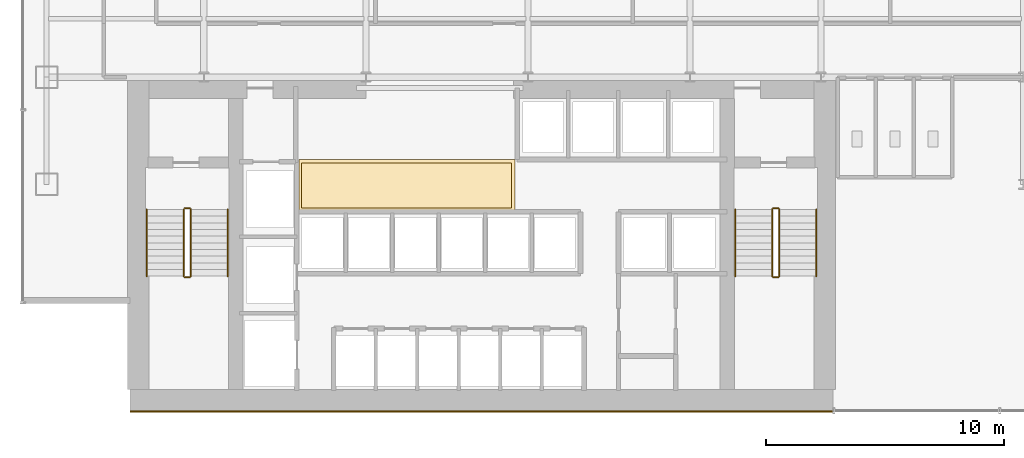
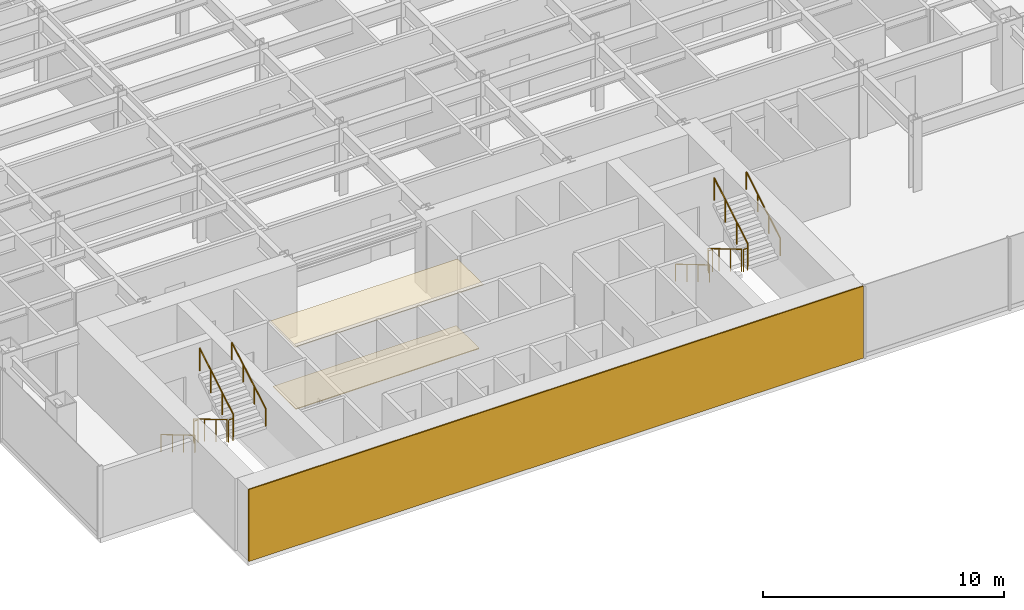
# One storey, part 21 of 23: 12 railings, 3 coverings.
"""IFC4 building model written with IfcOpenShell, lengths in metres."""

from ifc_helpers import new_model, si_unit, derived_unit, direction, frame, origin, origin_2d, place, context, subcontext, project, spatial, polyline, rectangle, circle, outline, extrude, source, transform, mapped, material, layer, layer_set, type_object, element, save


model = new_model("IFC4")

# Units and contexts
model_context = context("Model", 3, precision=1e-05, world=origin(), true_north=direction((0.0, 1.0)))
body_context = subcontext(model_context, "Body", "Model", "MODEL_VIEW")
ifc_project = project(units=[si_unit("LENGTHUNIT", "METRE"), si_unit("AREAUNIT", "SQUARE_METRE"), si_unit("VOLUMEUNIT", "CUBIC_METRE"), si_unit("PLANEANGLEUNIT", "RADIAN"), si_unit("MASSUNIT", "GRAM", prefix="KILO"), derived_unit("THERMALTRANSMITTANCEUNIT", [(si_unit("POWERUNIT", "WATT"), 1), (si_unit("LENGTHUNIT", "METRE"), -2), (si_unit("THERMODYNAMICTEMPERATUREUNIT", "KELVIN"), -1)])], contexts=[model_context])

# Site, building, storey
site_placement = place(None, origin())
site = spatial("IfcSite", under=ifc_project, at=site_placement, CompositionType="ELEMENT")
building_placement = place(site_placement, origin())
building = spatial("IfcBuilding", under=site, at=building_placement, Name="Skarnbrae Concourse Arena and Tower", CompositionType="ELEMENT")
storey_placement = place(building_placement, frame((0.0, 0.0, 50.75)))
storey = spatial("IfcBuildingStorey", under=building, at=storey_placement, Name="L11", CompositionType="ELEMENT", Elevation=50.75)

# Coverings
ifc_material_1 = material(Name="Mineral fibre acoustic ceiling tile", Category="other")
ifc_layer_1 = layer(ifc_material_1, 0.0400390625)
ifc_layer_set_1 = layer_set([ifc_layer_1], Name="Mineral fibre acoustic ceiling tile")
covering_type_1 = type_object("IfcCoveringType", Name="COV-CEIL-ACOUSTIC", PredefinedType="CEILING", material=ifc_layer_set_1)
covering_1_placement = place(storey_placement, frame((0.0, 0.0, 3.239990234375)))
element("IfcCovering", 1, at=covering_1_placement, inside=storey, type_object=covering_type_1, Name="L11 Lift lobby acoustic ceiling", PredefinedType="CEILING", context=body_context, shape_type="SweptSolid", body=[
    extrude(outline(polyline([(11.60009765625, 8.39990234375), (20.64990234375, 8.39990234375), (20.64990234375, 10.550048828125), (11.60009765625, 10.550048828125), (11.60009765625, 8.39990234375)])), origin(), (0.0, 0.0, 1.0), 0.0400390625),
])
ifc_material_2 = material(Name="Polished granite terrazzo flooring", Category="masonry")
ifc_layer_2 = layer(ifc_material_2, 0.0400390625)
ifc_layer_set_2 = layer_set([ifc_layer_2], Name="Polished granite terrazzo flooring")
covering_type_2 = type_object("IfcCoveringType", Name="COV-FLOOR-TERRAZZO", PredefinedType="FLOORING", material=ifc_layer_set_2)
covering_2_placement = place(storey_placement, origin())
element("IfcCovering", 2, at=covering_2_placement, inside=storey, type_object=covering_type_2, Name="L11 Lift lobby terrazzo flooring", PredefinedType="FLOORING", context=body_context, shape_type="SweptSolid", body=[
    extrude(outline(polyline([(11.699951171875, 8.5), (20.5, 8.5), (20.5, 10.39990234375), (11.699951171875, 10.39990234375), (11.699951171875, 8.5)])), origin(), (0.0, 0.0, 1.0), 0.0400390625),
])

# Railings
ifc_material_3 = material(Name="Steel CSA G40.21 350W", Category="steel")
railing_type_1 = type_object("IfcRailingType", Name="RAIL-HANDRAIL-900", PredefinedType="HANDRAIL", material=ifc_material_3)
railing_1_placement = place(storey_placement, frame((5.199951171875, 8.449951171875, 0.166015625)))
element("IfcRailing", 3, at=railing_1_placement, inside=storey, type_object=railing_type_1, Name="L11 ST-1 stair handrail 1", PredefinedType="HANDRAIL", context=body_context, shape_type="SweptSolid", body=[
    extrude(circle(Radius=0.02392578125, at=origin_2d()), frame((0.0, 0.0, 0.8759765625), z_axis=(0.0, -0.860339051648, 0.50972219513), x_axis=(1.0, 0.0, 0.0)), (0.0, 0.0, 1.0), 3.254638671875),
    extrude(circle(Radius=0.02099609375, at=origin_2d()), origin(), (0.0, 0.0, 1.0), 0.851806640625),
    extrude(circle(Radius=0.02099609375, at=origin_2d()), frame((0.0, -0.933349609375, 0.552978515625)), (0.0, 0.0, 1.0), 0.851806640625),
    extrude(circle(Radius=0.02099609375, at=origin_2d()), frame((0.0, -1.86669921875, 1.10595703125)), (0.0, 0.0, 1.0), 0.851806640625),
    extrude(circle(Radius=0.02099609375, at=origin_2d()), frame((0.0, -2.800048828125, 1.658935546875)), (0.0, 0.0, 1.0), 0.851806640625),
])
railing_2_placement = place(storey_placement, frame((8.60009765625, 5.64990234375, 1.990966796875)))
element("IfcRailing", 4, at=railing_2_placement, inside=storey, type_object=railing_type_1, Name="L11 ST-1 stair handrail 2", PredefinedType="HANDRAIL", context=body_context, shape_type="SweptSolid", body=[
    extrude(circle(Radius=0.02392578125, at=origin_2d()), frame((0.0, 0.0, 0.8759765625), z_axis=(0.0, 0.860339051648, 0.50972219513), x_axis=(-1.0, 0.0, 0.0)), (0.0, 0.0, 1.0), 3.254638671875),
    extrude(circle(Radius=0.02099609375, at=origin_2d()), origin(), (0.0, 0.0, 1.0), 0.851806640625),
    extrude(circle(Radius=0.02099609375, at=origin_2d()), frame((0.0, 0.933349609375, 0.552978515625)), (0.0, 0.0, 1.0), 0.851806640625),
    extrude(circle(Radius=0.02099609375, at=origin_2d()), frame((0.0, 1.86669921875, 1.10595703125)), (0.0, 0.0, 1.0), 0.851806640625),
    extrude(circle(Radius=0.02099609375, at=origin_2d()), frame((0.0, 2.800048828125, 1.658935546875)), (0.0, 0.0, 1.0), 0.851806640625),
])
railing_3_placement = place(storey_placement, frame((29.89990234375, 8.449951171875, 0.166015625)))
element("IfcRailing", 5, at=railing_3_placement, inside=storey, type_object=railing_type_1, Name="L11 ST-2 stair handrail 1", PredefinedType="HANDRAIL", context=body_context, shape_type="SweptSolid", body=[
    extrude(circle(Radius=0.02392578125, at=origin_2d()), frame((0.0, 0.0, 0.8759765625), z_axis=(0.0, -0.860339051648, 0.50972219513), x_axis=(1.0, 0.0, 0.0)), (0.0, 0.0, 1.0), 3.254638671875),
    extrude(circle(Radius=0.02099609375, at=origin_2d()), origin(), (0.0, 0.0, 1.0), 0.851806640625),
    extrude(circle(Radius=0.02099609375, at=origin_2d()), frame((0.0, -0.933349609375, 0.552978515625)), (0.0, 0.0, 1.0), 0.851806640625),
    extrude(circle(Radius=0.02099609375, at=origin_2d()), frame((0.0, -1.86669921875, 1.10595703125)), (0.0, 0.0, 1.0), 0.851806640625),
    extrude(circle(Radius=0.02099609375, at=origin_2d()), frame((0.0, -2.800048828125, 1.658935546875)), (0.0, 0.0, 1.0), 0.851806640625),
])
railing_4_placement = place(storey_placement, frame((33.300048828125, 5.64990234375, 1.990966796875)))
element("IfcRailing", 6, at=railing_4_placement, inside=storey, type_object=railing_type_1, Name="L11 ST-2 stair handrail 2", PredefinedType="HANDRAIL", context=body_context, shape_type="SweptSolid", body=[
    extrude(circle(Radius=0.02392578125, at=origin_2d()), frame((0.0, 0.0, 0.8759765625), z_axis=(0.0, 0.860339051648, 0.50972219513), x_axis=(-1.0, 0.0, 0.0)), (0.0, 0.0, 1.0), 3.254638671875),
    extrude(circle(Radius=0.02099609375, at=origin_2d()), origin(), (0.0, 0.0, 1.0), 0.851806640625),
    extrude(circle(Radius=0.02099609375, at=origin_2d()), frame((0.0, 0.933349609375, 0.552978515625)), (0.0, 0.0, 1.0), 0.851806640625),
    extrude(circle(Radius=0.02099609375, at=origin_2d()), frame((0.0, 1.86669921875, 1.10595703125)), (0.0, 0.0, 1.0), 0.851806640625),
    extrude(circle(Radius=0.02099609375, at=origin_2d()), frame((0.0, 2.800048828125, 1.658935546875)), (0.0, 0.0, 1.0), 0.851806640625),
])
railing_type_2 = type_object("IfcRailingType", Name="RAIL-STAIR-GUARD-1150", PredefinedType="GUARDRAIL", material=ifc_material_3)
railing_5_placement = place(storey_placement, frame((6.75, 8.449951171875, 0.166015625)))
element("IfcRailing", 7, at=railing_5_placement, inside=storey, type_object=railing_type_2, Name="L11 ST-1 stair guard 1", PredefinedType="GUARDRAIL", context=body_context, shape_type="SweptSolid", body=[
    extrude(circle(Radius=0.02392578125, at=origin_2d()), frame((0.0, 0.0, 1.1259765625), z_axis=(0.0, -0.860339051648, 0.50972219513), x_axis=(1.0, 0.0, 0.0)), (0.0, 0.0, 1.0), 3.254638671875),
    extrude(circle(Radius=0.02099609375, at=origin_2d()), origin(), (0.0, 0.0, 1.0), 1.101806640625),
    extrude(circle(Radius=0.02099609375, at=origin_2d()), frame((0.0, -0.933349609375, 0.552978515625)), (0.0, 0.0, 1.0), 1.101806640625),
    extrude(circle(Radius=0.02099609375, at=origin_2d()), frame((0.0, -1.86669921875, 1.10595703125)), (0.0, 0.0, 1.0), 1.101806640625),
    extrude(circle(Radius=0.02099609375, at=origin_2d()), frame((0.0, -2.800048828125, 1.658935546875)), (0.0, 0.0, 1.0), 1.101806640625),
])
railing_6_placement = place(storey_placement, frame((6.800048828125, 5.60009765625, 1.824951171875)))
element("IfcRailing", 8, at=railing_6_placement, inside=storey, type_object=railing_type_2, Name="L11 ST-1 stair guard 2", PredefinedType="GUARDRAIL", context=body_context, shape_type="SweptSolid", body=[
    extrude(circle(Radius=0.02392578125, at=origin_2d()), frame((0.0, 0.0, 1.1259765625), z_axis=(1.0, 0.0, 0.0), x_axis=(0.0, 1.0, 0.0)), (0.0, 0.0, 1.0), 0.199951171875),
    extrude(circle(Radius=0.02099609375, at=origin_2d()), origin(), (0.0, 0.0, 1.0), 1.101806640625),
    extrude(circle(Radius=0.02099609375, at=origin_2d()), frame((0.199951171875, 0.0, 0.0)), (0.0, 0.0, 1.0), 1.101806640625),
])
railing_7_placement = place(storey_placement, frame((7.050048828125, 5.64990234375, 1.990966796875)))
element("IfcRailing", 9, at=railing_7_placement, inside=storey, type_object=railing_type_2, Name="L11 ST-1 stair guard 3", PredefinedType="GUARDRAIL", context=body_context, shape_type="SweptSolid", body=[
    extrude(circle(Radius=0.02392578125, at=origin_2d()), frame((0.0, 0.0, 1.1259765625), z_axis=(0.0, 0.860339051648, 0.50972219513), x_axis=(-1.0, 0.0, 0.0)), (0.0, 0.0, 1.0), 3.254638671875),
    extrude(circle(Radius=0.02099609375, at=origin_2d()), origin(), (0.0, 0.0, 1.0), 1.101806640625),
    extrude(circle(Radius=0.02099609375, at=origin_2d()), frame((0.0, 0.933349609375, 0.552978515625)), (0.0, 0.0, 1.0), 1.101806640625),
    extrude(circle(Radius=0.02099609375, at=origin_2d()), frame((0.0, 1.86669921875, 1.10595703125)), (0.0, 0.0, 1.0), 1.101806640625),
    extrude(circle(Radius=0.02099609375, at=origin_2d()), frame((0.0, 2.800048828125, 1.658935546875)), (0.0, 0.0, 1.0), 1.101806640625),
])
railing_8_placement = place(storey_placement, frame((6.800048828125, 8.5, 0.0)))
element("IfcRailing", 10, at=railing_8_placement, inside=storey, type_object=railing_type_2, Name="L11 ST-1 stair guard 4", PredefinedType="GUARDRAIL", context=body_context, shape_type="SweptSolid", body=[
    extrude(circle(Radius=0.02392578125, at=origin_2d()), frame((0.0, 0.0, 1.1259765625), z_axis=(1.0, 0.0, 0.0), x_axis=(0.0, 1.0, 0.0)), (0.0, 0.0, 1.0), 0.199951171875),
    extrude(circle(Radius=0.02099609375, at=origin_2d()), origin(), (0.0, 0.0, 1.0), 1.101806640625),
    extrude(circle(Radius=0.02099609375, at=origin_2d()), frame((0.199951171875, 0.0, 0.0)), (0.0, 0.0, 1.0), 1.101806640625),
])
railing_9_placement = place(storey_placement, frame((31.449951171875, 8.449951171875, 0.166015625)))
element("IfcRailing", 11, at=railing_9_placement, inside=storey, type_object=railing_type_2, Name="L11 ST-2 stair guard 1", PredefinedType="GUARDRAIL", context=body_context, shape_type="SweptSolid", body=[
    extrude(circle(Radius=0.02392578125, at=origin_2d()), frame((0.0, 0.0, 1.1259765625), z_axis=(0.0, -0.860339051648, 0.50972219513), x_axis=(1.0, 0.0, 0.0)), (0.0, 0.0, 1.0), 3.254638671875),
    extrude(circle(Radius=0.02099609375, at=origin_2d()), origin(), (0.0, 0.0, 1.0), 1.101806640625),
    extrude(circle(Radius=0.02099609375, at=origin_2d()), frame((0.0, -0.933349609375, 0.552978515625)), (0.0, 0.0, 1.0), 1.101806640625),
    extrude(circle(Radius=0.02099609375, at=origin_2d()), frame((0.0, -1.86669921875, 1.10595703125)), (0.0, 0.0, 1.0), 1.101806640625),
    extrude(circle(Radius=0.02099609375, at=origin_2d()), frame((0.0, -2.800048828125, 1.658935546875)), (0.0, 0.0, 1.0), 1.101806640625),
])
railing_10_placement = place(storey_placement, frame((31.5, 5.60009765625, 1.824951171875)))
element("IfcRailing", 12, at=railing_10_placement, inside=storey, type_object=railing_type_2, Name="L11 ST-2 stair guard 2", PredefinedType="GUARDRAIL", context=body_context, shape_type="SweptSolid", body=[
    extrude(circle(Radius=0.02392578125, at=origin_2d()), frame((0.0, 0.0, 1.1259765625), z_axis=(1.0, 0.0, 0.0), x_axis=(0.0, 1.0, 0.0)), (0.0, 0.0, 1.0), 0.199951171875),
    extrude(circle(Radius=0.02099609375, at=origin_2d()), origin(), (0.0, 0.0, 1.0), 1.101806640625),
    extrude(circle(Radius=0.02099609375, at=origin_2d()), frame((0.199951171875, 0.0, 0.0)), (0.0, 0.0, 1.0), 1.101806640625),
])
railing_11_placement = place(storey_placement, frame((31.75, 5.64990234375, 1.990966796875)))
element("IfcRailing", 13, at=railing_11_placement, inside=storey, type_object=railing_type_2, Name="L11 ST-2 stair guard 3", PredefinedType="GUARDRAIL", context=body_context, shape_type="SweptSolid", body=[
    extrude(circle(Radius=0.02392578125, at=origin_2d()), frame((0.0, 0.0, 1.1259765625), z_axis=(0.0, 0.860339051648, 0.50972219513), x_axis=(-1.0, 0.0, 0.0)), (0.0, 0.0, 1.0), 3.254638671875),
    extrude(circle(Radius=0.02099609375, at=origin_2d()), origin(), (0.0, 0.0, 1.0), 1.101806640625),
    extrude(circle(Radius=0.02099609375, at=origin_2d()), frame((0.0, 0.933349609375, 0.552978515625)), (0.0, 0.0, 1.0), 1.101806640625),
    extrude(circle(Radius=0.02099609375, at=origin_2d()), frame((0.0, 1.86669921875, 1.10595703125)), (0.0, 0.0, 1.0), 1.101806640625),
    extrude(circle(Radius=0.02099609375, at=origin_2d()), frame((0.0, 2.800048828125, 1.658935546875)), (0.0, 0.0, 1.0), 1.101806640625),
])
railing_12_placement = place(storey_placement, frame((31.5, 8.5, 0.0)))
element("IfcRailing", 14, at=railing_12_placement, inside=storey, type_object=railing_type_2, Name="L11 ST-2 stair guard 4", PredefinedType="GUARDRAIL", context=body_context, shape_type="SweptSolid", body=[
    extrude(circle(Radius=0.02392578125, at=origin_2d()), frame((0.0, 0.0, 1.1259765625), z_axis=(1.0, 0.0, 0.0), x_axis=(0.0, 1.0, 0.0)), (0.0, 0.0, 1.0), 0.199951171875),
    extrude(circle(Radius=0.02099609375, at=origin_2d()), origin(), (0.0, 0.0, 1.0), 1.101806640625),
    extrude(circle(Radius=0.02099609375, at=origin_2d()), frame((0.199951171875, 0.0, 0.0)), (0.0, 0.0, 1.0), 1.101806640625),
])

# Covering
ifc_material_4 = material(Name="Bronze anodised aluminium 6063-T6", Category="aluminium")
ifc_layer_3 = layer(ifc_material_4, 0.06005859375)
ifc_layer_set_3 = layer_set([ifc_layer_3], Name="Bronze anodised aluminium 6063-T6")
covering_type_3 = type_object("IfcCoveringType", Name="COV-CLAD-BRONZE-60", PredefinedType="CLADDING", material=ifc_layer_set_3)
shared_shape = source(origin(), body_context, "Body", "SweptSolid", [
    extrude(rectangle(XDim=29.5, YDim=0.06005859375, at=origin_2d()), origin(), (0.0, 0.0, 1.0), 3.64990234375),
])
covering_3_placement = place(storey_placement, frame((19.25, -0.030029296875, 0.0), z_axis=(0.0, 0.0, 1.0), x_axis=(1.0, 0.0, 0.0)))
element("IfcCovering", 15, at=covering_3_placement, inside=storey, type_object=covering_type_3, Name="L11 Rear-core plumb spine bronze rainscreen panel", PredefinedType="CLADDING", context=body_context, shape_type="MappedRepresentation", body=[
    mapped(shared_shape, transform((0.0, 0.0, 0.0))),
])

save(model, "model.ifc")
